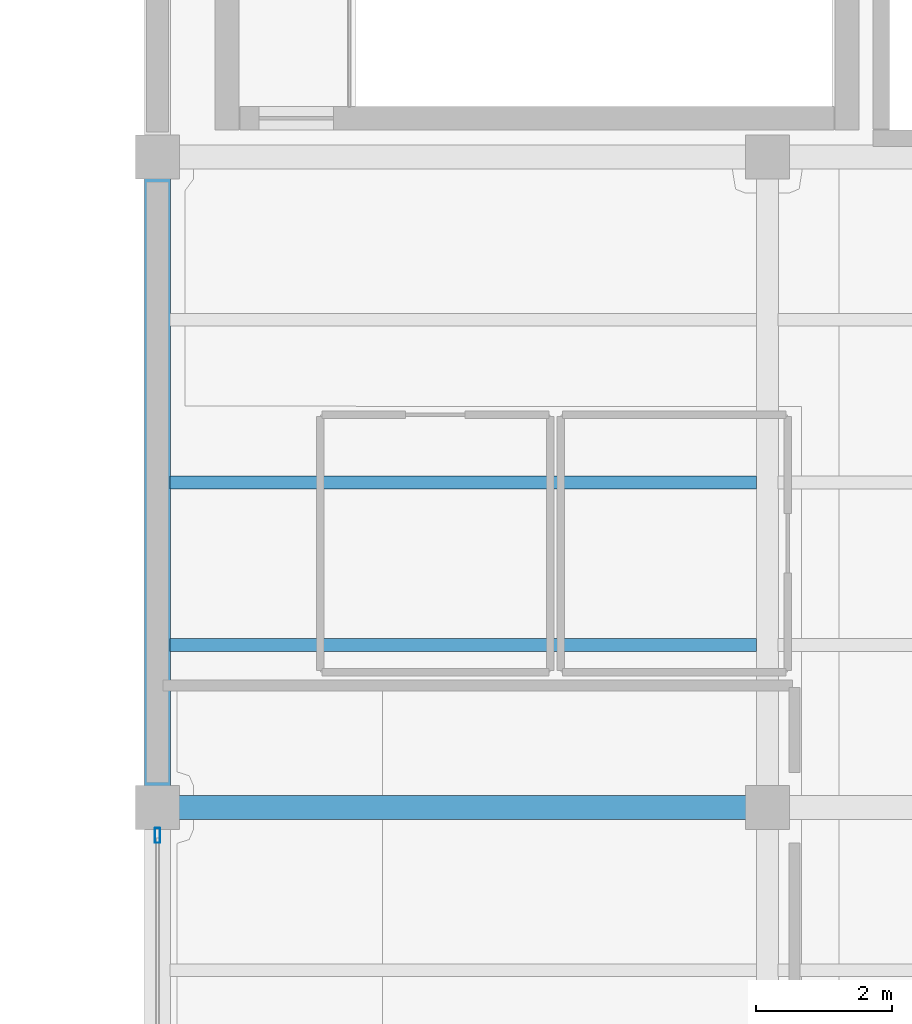
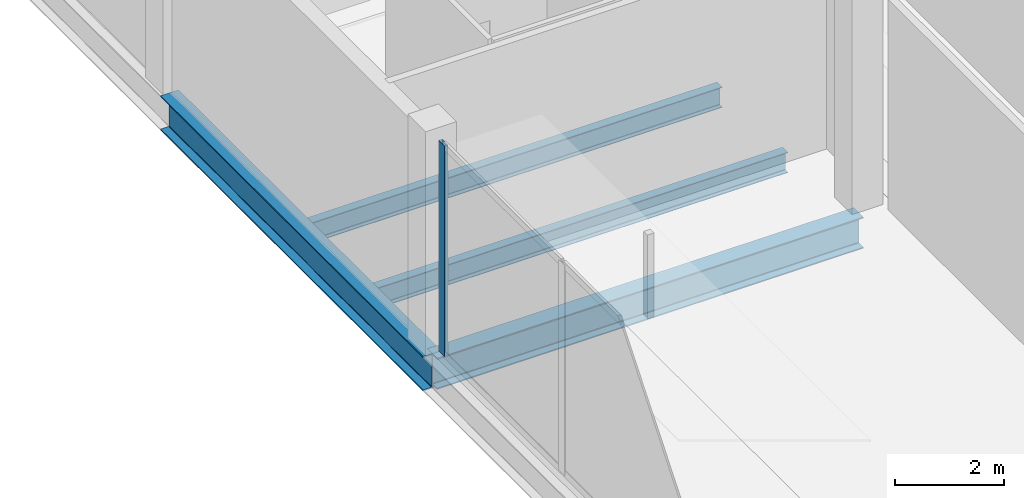
# One storey, part 13 of 43: 4 beams, 1 member, 1 element without a shape of its own.
"""IFC4 building model written with IfcOpenShell, lengths in metres."""

from ifc_helpers import new_model, si_unit, direction, frame, origin, origin_2d, place, context, subcontext, project, spatial, hollow_rectangle, i_section, extrude, material, layer, layer_set, material_profile, profile_set, type_object, element, aggregate, save


model = new_model("IFC4")

# Units and contexts
model_context = context("Model", 3, precision=1e-05, world=origin(), true_north=direction((0.0, 1.0)))
body_context = subcontext(model_context, "Body", "Model", "MODEL_VIEW")
ifc_project = project(units=[si_unit("LENGTHUNIT", "METRE"), si_unit("AREAUNIT", "SQUARE_METRE"), si_unit("VOLUMEUNIT", "CUBIC_METRE"), si_unit("PLANEANGLEUNIT", "RADIAN"), si_unit("MASSUNIT", "GRAM", prefix="KILO")], contexts=[model_context])

# Site, building, storey
site_placement = place(None, origin())
site = spatial("IfcSite", under=ifc_project, at=site_placement, CompositionType="ELEMENT")
building_placement = place(site_placement, origin())
building = spatial("IfcBuilding", under=site, at=building_placement, Name="Qorvath Tower", CompositionType="ELEMENT")
storey_placement = place(building_placement, frame((0.0, 0.0, 22.0)))
storey = spatial("IfcBuildingStorey", under=building, at=storey_placement, Name="L04", CompositionType="ELEMENT", Elevation=22.0)

# Beams
ifc_material_1 = material(Name="Steel ASTM A992 Grade 50", Category="steel")
ifc_material_profile_1 = material_profile(ifc_material_1, i_section(OverallWidth=0.381103515625, OverallDepth=0.77294921875, WebThickness=0.0166015625, FlangeThickness=0.027099609375, FilletRadius=0.01904296875, at=origin_2d()), Name="W30x173")
ifc_profile_set_1 = profile_set([ifc_material_profile_1], Name="Steel ASTM A992 Grade 50")
beam_type_1 = type_object("IfcBeamType", Name="BM-FG3", PredefinedType="BEAM", material=ifc_profile_set_1)
beam_1_placement = place(storey_placement, frame((32.39990234375, 19.199951171875, -0.646484375), z_axis=(0.0, 1.0, 0.0), x_axis=(-1.0, 0.0, 0.0)))
element("IfcBeam", 1, at=beam_1_placement, inside=storey, type_object=beam_type_1, Name="Library N-S Girder L04-1-7", PredefinedType="BEAM", context=body_context, shape_type="SweptSolid", body=[
    extrude(i_section(OverallWidth=0.381103515625, OverallDepth=0.77294921875, WebThickness=0.0166015625, FlangeThickness=0.027099609375, FilletRadius=0.01904296875, at=origin_2d()), origin(), (0.0, 0.0, 1.0), 9.60009765625),
])
ifc_material_2 = material(Name="Steel ASTM A992 Grade 50", Category="steel")
ifc_material_profile_2 = material_profile(ifc_material_2, i_section(OverallWidth=0.35595703125, OverallDepth=0.696044921875, WebThickness=0.015380859375, FlangeThickness=0.02490234375, FilletRadius=0.01806640625, at=origin_2d()), Name="W27x146")
ifc_profile_set_2 = profile_set([ifc_material_profile_2], Name="Steel ASTM A992 Grade 50")
beam_type_2 = type_object("IfcBeamType", Name="BM-FG4", PredefinedType="BEAM", material=ifc_profile_set_2)
beam_2_placement = place(storey_placement, frame((32.39990234375, 19.199951171875, -0.60791015625), z_axis=(1.0, 0.0, 0.0), x_axis=(0.0, 1.0, 0.0)))
element("IfcBeam", 2, at=beam_2_placement, inside=storey, type_object=beam_type_2, Name="Library E-W Girder L04-7-1", PredefinedType="BEAM", context=body_context, shape_type="SweptSolid", body=[
    extrude(i_section(OverallWidth=0.35595703125, OverallDepth=0.696044921875, WebThickness=0.015380859375, FlangeThickness=0.02490234375, FilletRadius=0.01806640625, at=origin_2d()), origin(), (0.0, 0.0, 1.0), 9.0),
])
ifc_material_3 = material(Name="Steel ASTM A992 Grade 50", Category="steel")
ifc_material_profile_3 = material_profile(ifc_material_3, i_section(OverallWidth=0.18994140625, OverallDepth=0.45703125, WebThickness=0.009033203125, FlangeThickness=0.014404296875, FilletRadius=0.011962890625, at=origin_2d()), Name="W18x50")
ifc_profile_set_3 = profile_set([ifc_material_profile_3], Name="Steel ASTM A992 Grade 50")
beam_type_3 = type_object("IfcBeamType", Name="BM-FJ2", PredefinedType="JOIST", material=ifc_profile_set_3)
for number, where, z_axis, x_axis, name in (
    (3, (32.58837890625, 21.60009765625, -0.488525390625), (1.0, 0.0, 0.0), (0.0, 1.0, 0.0), "Library Stack Joist L04-7.1-1"),
    (4, (32.58837890625, 24.0, -0.488525390625), (1.0, 0.0, 0.0), (0.0, 1.0, 0.0), "Library Stack Joist L04-7.2-1"),
):
    element("IfcBeam", number, at=place(storey_placement, frame(where, z_axis=z_axis, x_axis=x_axis)), inside=storey, type_object=beam_type_3, Name=name, PredefinedType="JOIST", context=body_context, shape_type="SweptSolid", body=[
        extrude(i_section(OverallWidth=0.18994140625, OverallDepth=0.45703125, WebThickness=0.009033203125, FlangeThickness=0.014404296875, FilletRadius=0.011962890625, at=origin_2d()), origin(), (0.0, 0.0, 1.0), 8.651123046875),
    ])

# Curtain wall, member
ifc_material_4 = material(Name="Anodised aluminium and triple low-E glass", Category="aluminium")
ifc_layer = layer(ifc_material_4, 0.179931640625)
ifc_layer_set = layer_set([ifc_layer], Name="CW-SYS-6")
curtain_wall_type = type_object("IfcCurtainWallType", Name="CW-SYS-6", PredefinedType="NOTDEFINED", material=ifc_layer_set)
curtain_wall_placement = place(storey_placement, origin())
curtain_wall = element("IfcCurtainWall", 5, at=curtain_wall_placement, inside=storey, type_object=curtain_wall_type, Name="Curtain Wall CW-6 CW-LIB-W-L04-6", PredefinedType="NOTDEFINED")
ifc_material_5 = material(Name="Anodised aluminium 6063-T6", Category="aluminium")
ifc_material_profile_4 = material_profile(ifc_material_5, hollow_rectangle(XDim=0.080078125, YDim=0.219970703125, WallThickness=0.00439453125, InnerFilletRadius=0.00439453125, OuterFilletRadius=0.009033203125, at=origin_2d()), Name="CWM LIB 220x80")
ifc_profile_set_4 = profile_set([ifc_material_profile_4], Name="Anodised aluminium 6063-T6")
member_type = type_object("IfcMemberType", Name="CWM-LIB", PredefinedType="MULLION", material=ifc_profile_set_4)
member_placement = place(storey_placement, frame((32.39990234375, 18.7900390625, 0.0), z_axis=(0.0, 0.0, 1.0), x_axis=(-1.0, 0.0, 0.0)))
member = element("IfcMember", 6, at=member_placement, type_object=member_type, Name="CW-6 mullion 3", PredefinedType="MULLION", context=body_context, shape_type="SweptSolid", body=[
    extrude(hollow_rectangle(XDim=0.080078125, YDim=0.219970703125, WallThickness=0.00439453125, InnerFilletRadius=0.00439453125, OuterFilletRadius=0.009033203125, at=origin_2d()), origin(), (0.0, 0.0, 1.0), 4.699951171875),
])
aggregate(curtain_wall, [member])

save(model, "model.ifc")
